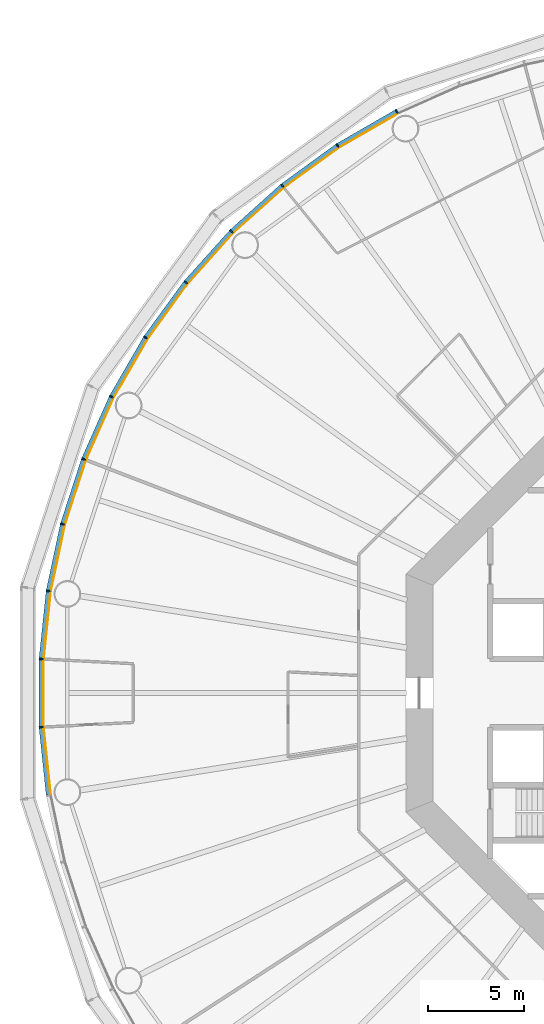
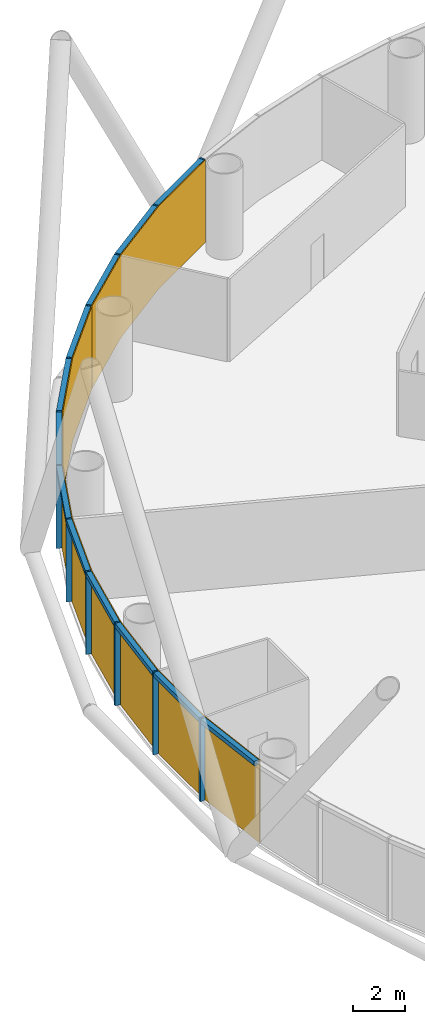
# One storey, part 9 of 13: 24 members, 4 curtain walls.
"""IFC4 building model written with IfcOpenShell, lengths in metres."""

import ifcopenshell
import ifcopenshell.guid

model = None  # the IFC model being written
_history = None  # IfcOwnerHistory: only IFC2X3 demands one
_inside = {}  # id of a spatial element -> (the spatial element, [elements in it])
_under = {}  # id of a project, library or spatial element -> (it, [spatial elements below it])
_declared = {}  # id of a project -> (the project, [libraries it declares])
_typed = {}  # id of a type object -> (the type object, [elements of that type])
_made_of = {}  # id of a material, layer set ... -> (it, [elements and type objects made of it])


def new_model(schema):
    """Start an empty IFC model of exactly this schema.

    Asked for "IFC4X3", IfcOpenShell would pick the latest addendum, in which some entities
    have other attributes; the version numbers below select the first issue.
    IFC2X3 requires an IfcOwnerHistory on every rooted entity: one is made here for all.
    """
    global model, _history
    if schema == "IFC4X3":
        model = ifcopenshell.file(schema_version=(4, 3, 0, 0))
    else:
        model = ifcopenshell.file(schema=schema)
    _inside.clear()
    _under.clear()
    _declared.clear()
    _typed.clear()
    _made_of.clear()
    _history = None
    if model.schema == "IFC2X3":
        org = make("IfcOrganization", Name="unknown")
        user = make(
            "IfcPersonAndOrganization",
            ThePerson=make("IfcPerson", FamilyName="unknown"),
            TheOrganization=org,
        )
        app = make(
            "IfcApplication",
            ApplicationDeveloper=org,
            Version="unknown",
            ApplicationFullName="unknown",
            ApplicationIdentifier="unknown",
        )
        _history = make(
            "IfcOwnerHistory",
            OwningUser=user,
            OwningApplication=app,
            ChangeAction="ADDED",
            CreationDate=0,
        )
    return model


def make(cls, **values):
    """One entity of the class cls with the attributes given. An attribute that is None is left unset."""
    return model.create_entity(
        cls, **{name: value for name, value in values.items() if value is not None}
    )


def rooted(cls, **values):
    """An entity with a GlobalId (a new one), such as an element, a storey or a relation."""
    return make(cls, GlobalId=ifcopenshell.guid.new(), OwnerHistory=_history, **values)


def si_unit(unit_type, name, prefix=None):
    """IfcSIUnit, for example si_unit("LENGTHUNIT", "METRE", prefix="MILLI")."""
    return make("IfcSIUnit", UnitType=unit_type, Prefix=prefix, Name=name)


def assignment(units):
    """IfcUnitAssignment: the units of a project."""
    return None if units is None else make("IfcUnitAssignment", Units=units)


def point(xyz):
    """IfcCartesianPoint."""
    return None if xyz is None else make("IfcCartesianPoint", Coordinates=xyz)


def direction(xyz):
    """IfcDirection."""
    return None if xyz is None else make("IfcDirection", DirectionRatios=xyz)


def frame(location, z_axis=None, x_axis=None):
    """IfcAxis2Placement3D, a coordinate frame: its origin and axes. An axis left out is left unset."""
    return make(
        "IfcAxis2Placement3D",
        Location=point(location),
        Axis=direction(z_axis),
        RefDirection=direction(x_axis),
    )


def frame_2d(location, x_axis=None):
    """IfcAxis2Placement2D, a coordinate frame in the plane: its origin and x axis."""
    return make(
        "IfcAxis2Placement2D", Location=point(location), RefDirection=direction(x_axis)
    )


def origin():
    """The frame at (0, 0, 0) with its axes left unset."""
    return frame((0.0, 0.0, 0.0))


def origin_2d():
    """The frame at (0, 0) in the plane with its x axis left unset."""
    return frame_2d((0.0, 0.0))


def place(relative_to, where):
    """IfcLocalPlacement: puts the frame where relative to a parent placement (None: the world)."""
    return make(
        "IfcLocalPlacement", PlacementRelTo=relative_to, RelativePlacement=where
    )


def context(
    kind, dimensions, precision=None, world=None, true_north=None, identifier=None
):
    """IfcGeometricRepresentationContext, for example the 3D "Model" context."""
    return make(
        "IfcGeometricRepresentationContext",
        ContextIdentifier=identifier,
        ContextType=kind,
        CoordinateSpaceDimension=dimensions,
        Precision=precision,
        WorldCoordinateSystem=world,
        TrueNorth=true_north,
    )


def subcontext(parent, identifier, kind, view, scale=None):
    """IfcGeometricRepresentationSubContext, for example "Body" below "Model"."""
    return make(
        "IfcGeometricRepresentationSubContext",
        ContextIdentifier=identifier,
        ContextType=kind,
        ParentContext=parent,
        TargetScale=scale,
        TargetView=view,
    )


def project(units=None, contexts=None):
    """IfcProject with its units and contexts."""
    return rooted(
        "IfcProject",
        Name="project",
        RepresentationContexts=contexts,
        UnitsInContext=assignment(units),
    )


def spatial(cls, under=None, at=None, **own):
    """A site, building, storey or space (cls), placed at a placement, below another one or the project."""
    s = rooted(cls, ObjectPlacement=at, **own)
    if under is not None:
        _under.setdefault(under.id(), (under, []))[1].append(s)
    return s


def polyline(points):
    """IfcPolyline through the points."""
    return make("IfcPolyline", Points=[point(p) for p in points])


def profile(cls, at=None, kind="AREA", **sizes):
    """A parametric profile (cls). Its sizes go by their IFC names, for example OverallWidth=200.0."""
    return make(cls, ProfileType=kind, Position=at, **sizes)


def rectangle(**sizes):
    """IfcRectangleProfileDef."""
    return profile("IfcRectangleProfileDef", **sizes)


def outline(outer, holes=None, kind="AREA"):
    """IfcArbitraryClosedProfileDef: a profile drawn as a closed curve; with holes, ...WithVoids."""
    if holes is None:
        return make("IfcArbitraryClosedProfileDef", ProfileType=kind, OuterCurve=outer)
    return make(
        "IfcArbitraryProfileDefWithVoids",
        ProfileType=kind,
        OuterCurve=outer,
        InnerCurves=holes,
    )


def extrude(swept, where, along, depth):
    """IfcExtrudedAreaSolid: the profile swept, set in the frame where, extruded along a direction by depth."""
    return make(
        "IfcExtrudedAreaSolid",
        SweptArea=swept,
        Position=where,
        ExtrudedDirection=direction(along),
        Depth=depth,
    )


def shape(context_of_items, identifier, shape_type, items):
    """IfcShapeRepresentation: the items that make up one representation, for example the "Body"."""
    return make(
        "IfcShapeRepresentation",
        ContextOfItems=context_of_items,
        RepresentationIdentifier=identifier,
        RepresentationType=shape_type,
        Items=items,
    )


def material(Name=None, Category=None):
    """IfcMaterial."""
    return make("IfcMaterial", Name=Name, Category=Category)


def layer(
    of_material, thickness, ventilated=None, Name=None, Category=None, Priority=None
):
    """IfcMaterialLayer: one layer of a wall or slab, of a material (None: an air gap)."""
    return make(
        "IfcMaterialLayer",
        Material=of_material,
        LayerThickness=thickness,
        IsVentilated=ventilated,
        Name=Name,
        Category=Category,
        Priority=Priority,
    )


def layer_set(layers, Name=None):
    """IfcMaterialLayerSet."""
    return make("IfcMaterialLayerSet", MaterialLayers=layers, LayerSetName=Name)


def material_profile(
    of_material, cross_section, Name=None, Category=None, Priority=None
):
    """IfcMaterialProfile: a cross section and its material."""
    return make(
        "IfcMaterialProfile",
        Name=Name,
        Material=of_material,
        Profile=cross_section,
        Priority=Priority,
        Category=Category,
    )


def profile_set(profiles, Name=None, composite=None):
    """IfcMaterialProfileSet."""
    return make(
        "IfcMaterialProfileSet",
        Name=Name,
        MaterialProfiles=profiles,
        CompositeProfile=composite,
    )


def made_of(thing, what):
    """Note that an element or type object is made of a material, layer set ...; save() writes the relation."""
    if what is not None:
        _made_of.setdefault(what.id(), (what, []))[1].append(thing)
    return thing


def type_object(cls, material=None, **own):
    """A type object (cls), such as IfcWallType, which elements share."""
    return made_of(rooted(cls, **own), material)


def element(
    cls,
    number,
    at=None,
    inside=None,
    cuts=None,
    type_object=None,
    material=None,
    context=None,
    identifier="Body",
    shape_type=None,
    held_by="IfcProductDefinitionShape",
    body=None,
    shapes=None,
    **own,
):
    """One element of the class cls, such as IfcWall. Its Tag is "e" and its number.

    at: its placement. inside: the storey or other place that contains it. cuts: it is an
    opening in that element (IfcRelVoidsElement). A single representation is given by context,
    identifier, shape_type and body (its items); several are given by shapes. held_by: the class
    of the entity that holds the representations. save() writes the other relations.
    """
    e = rooted(cls, Tag="e%d" % number, ObjectPlacement=at, **own)
    if body is not None:
        shapes = [shape(context, identifier, shape_type, body)]
    if shapes is not None:
        e.Representation = make(held_by, Representations=shapes)
    if inside is not None:
        _inside.setdefault(inside.id(), (inside, []))[1].append(e)
    if cuts is not None:
        rooted(
            "IfcRelVoidsElement", RelatingBuildingElement=cuts, RelatedOpeningElement=e
        )
    if type_object is not None:
        _typed.setdefault(type_object.id(), (type_object, []))[1].append(e)
    return made_of(e, material)


def aggregate(whole, parts):
    """IfcRelAggregates: a whole, such as a stair, and the parts it consists of."""
    return rooted("IfcRelAggregates", RelatingObject=whole, RelatedObjects=parts)


def save(model, path):
    """Write the relations noted so far, then the file.

    IfcRelAggregates (storeys below a building ...), IfcRelContainedInSpatialStructure (elements
    in a storey), IfcRelDefinesByType, IfcRelAssociatesMaterial and IfcRelDeclares: one each for
    every whole, place, type object, material and project.
    """
    for whole, parts in _under.values():
        aggregate(whole, parts)
    for where, things in _inside.values():
        rooted(
            "IfcRelContainedInSpatialStructure",
            RelatedElements=things,
            RelatingStructure=where,
        )
    for kind, things in _typed.values():
        rooted("IfcRelDefinesByType", RelatedObjects=things, RelatingType=kind)
    for what, things in _made_of.values():
        rooted("IfcRelAssociatesMaterial", RelatedObjects=things, RelatingMaterial=what)
    for by, libraries in _declared.values():
        rooted("IfcRelDeclares", RelatingContext=by, RelatedDefinitions=libraries)
    model.write(path)


model = new_model("IFC4")

# Units and contexts
model_context = context("Model", 3, precision=1e-05, world=origin(), true_north=direction((0.0, 1.0)))
body_context = subcontext(model_context, "Body", "Model", "MODEL_VIEW")
ifc_project = project(units=[si_unit("LENGTHUNIT", "METRE"), si_unit("AREAUNIT", "SQUARE_METRE"), si_unit("VOLUMEUNIT", "CUBIC_METRE"), si_unit("PLANEANGLEUNIT", "RADIAN"), si_unit("MASSUNIT", "GRAM", prefix="KILO")], contexts=[model_context])

# Member
ifc_material_1 = material(Name="Anodised aluminium", Category="aluminium")
ifc_material_profile_1 = material_profile(ifc_material_1, rectangle(XDim=0.074951171875, YDim=0.219970703125, at=origin_2d()), Name="Mullion 75 x 220 mm anodised aluminium")
ifc_profile_set_1 = profile_set([ifc_material_profile_1], Name="Anodised aluminium")
member_type_1 = type_object("IfcMemberType", Name="Mullion 75 x 220 mm anodised aluminium", PredefinedType="MULLION", material=ifc_profile_set_1)
site_placement = place(None, origin())
building_placement = place(site_placement, origin())
storey_placement = place(building_placement, frame((0.0, 0.0, 38.0)))
member_1_placement = place(storey_placement, frame((74.514404296875, 110.392333984375, 0.0), z_axis=(0.0, 0.0, 1.0), x_axis=(-0.891006524188, -0.45399049974, 0.0)))
member_1 = element("IfcMember", 1, at=member_1_placement, type_object=member_type_1, Name="MULLION L07-18", PredefinedType="MULLION", context=body_context, shape_type="SweptSolid", body=[
    extrude(rectangle(XDim=0.074951171875, YDim=0.219970703125, at=origin_2d()), origin(), (0.0, 0.0, 1.0), 3.85009765625),
])

member_2_placement = place(storey_placement, frame((71.42236328125, 108.60693359375, 0.0), z_axis=(0.0, 0.0, 1.0), x_axis=(-0.838670567945, -0.544639035015, 0.0)))
member_2 = element("IfcMember", 2, at=member_2_placement, type_object=member_type_1, Name="MULLION L07-19", PredefinedType="MULLION", context=body_context, shape_type="SweptSolid", body=[
    extrude(rectangle(XDim=0.074951171875, YDim=0.219970703125, at=origin_2d()), origin(), (0.0, 0.0, 1.0), 3.85009765625),
])

member_3_placement = place(storey_placement, frame((68.533935546875, 106.508544921875, 0.0), z_axis=(0.0, 0.0, 1.0), x_axis=(-0.777145961457, -0.62932039105, 0.0)))
member_3 = element("IfcMember", 3, at=member_3_placement, type_object=member_type_1, Name="MULLION L07-20", PredefinedType="MULLION", context=body_context, shape_type="SweptSolid", body=[
    extrude(rectangle(XDim=0.074951171875, YDim=0.219970703125, at=origin_2d()), origin(), (0.0, 0.0, 1.0), 3.85009765625),
])

member_4_placement = place(storey_placement, frame((65.880615234375, 104.119384765625, 0.0), z_axis=(0.0, 0.0, 1.0), x_axis=(-0.707106781187, -0.707106781187, 0.0)))
member_4 = element("IfcMember", 4, at=member_4_placement, type_object=member_type_1, Name="MULLION L07-21", PredefinedType="MULLION", context=body_context, shape_type="SweptSolid", body=[
    extrude(rectangle(XDim=0.074951171875, YDim=0.219970703125, at=origin_2d()), origin(), (0.0, 0.0, 1.0), 3.85009765625),
])

member_5_placement = place(storey_placement, frame((63.491455078125, 101.466064453125, 0.0), z_axis=(0.0, 0.0, 1.0), x_axis=(-0.62932039105, -0.777145961457, 0.0)))
member_5 = element("IfcMember", 5, at=member_5_placement, type_object=member_type_1, Name="MULLION L07-22", PredefinedType="MULLION", context=body_context, shape_type="SweptSolid", body=[
    extrude(rectangle(XDim=0.074951171875, YDim=0.219970703125, at=origin_2d()), origin(), (0.0, 0.0, 1.0), 3.85009765625),
])

member_6_placement = place(storey_placement, frame((61.39306640625, 98.57763671875, 0.0), z_axis=(0.0, 0.0, 1.0), x_axis=(-0.544639035015, -0.838670567945, 0.0)))
member_6 = element("IfcMember", 6, at=member_6_placement, type_object=member_type_1, Name="MULLION L07-23", PredefinedType="MULLION", context=body_context, shape_type="SweptSolid", body=[
    extrude(rectangle(XDim=0.074951171875, YDim=0.219970703125, at=origin_2d()), origin(), (0.0, 0.0, 1.0), 3.85009765625),
])

member_7_placement = place(storey_placement, frame((59.607666015625, 95.485595703125, 0.0), z_axis=(0.0, 0.0, 1.0), x_axis=(-0.45399049974, -0.891006524188, 0.0)))
member_7 = element("IfcMember", 7, at=member_7_placement, type_object=member_type_1, Name="MULLION L07-24", PredefinedType="MULLION", context=body_context, shape_type="SweptSolid", body=[
    extrude(rectangle(XDim=0.074951171875, YDim=0.219970703125, at=origin_2d()), origin(), (0.0, 0.0, 1.0), 3.85009765625),
])

member_8_placement = place(storey_placement, frame((58.155517578125, 92.223876953125, 0.0), z_axis=(0.0, 0.0, 1.0), x_axis=(-0.358367949545, -0.933580426497, 0.0)))
member_8 = element("IfcMember", 8, at=member_8_placement, type_object=member_type_1, Name="MULLION L07-25", PredefinedType="MULLION", context=body_context, shape_type="SweptSolid", body=[
    extrude(rectangle(XDim=0.074951171875, YDim=0.219970703125, at=origin_2d()), origin(), (0.0, 0.0, 1.0), 3.85009765625),
])

member_9_placement = place(storey_placement, frame((57.05224609375, 88.828369140625, 0.0), z_axis=(0.0, 0.0, 1.0), x_axis=(-0.258819045103, -0.965925826289, 0.0)))
member_9 = element("IfcMember", 9, at=member_9_placement, type_object=member_type_1, Name="MULLION L07-26", PredefinedType="MULLION", context=body_context, shape_type="SweptSolid", body=[
    extrude(rectangle(XDim=0.074951171875, YDim=0.219970703125, at=origin_2d()), origin(), (0.0, 0.0, 1.0), 3.85009765625),
])

member_10_placement = place(storey_placement, frame((56.31005859375, 85.3359375, 0.0), z_axis=(0.0, 0.0, 1.0), x_axis=(-0.15643446504, -0.987688340595, 0.0)))
member_10 = element("IfcMember", 10, at=member_10_placement, type_object=member_type_1, Name="MULLION L07-27", PredefinedType="MULLION", context=body_context, shape_type="SweptSolid", body=[
    extrude(rectangle(XDim=0.074951171875, YDim=0.219970703125, at=origin_2d()), origin(), (0.0, 0.0, 1.0), 3.85009765625),
])

member_11_placement = place(storey_placement, frame((55.936767578125, 81.78515625, 0.0), z_axis=(0.0, 0.0, 1.0), x_axis=(-0.052335956243, -0.998629534755, 0.0)))
member_11 = element("IfcMember", 11, at=member_11_placement, type_object=member_type_1, Name="MULLION L07-28", PredefinedType="MULLION", context=body_context, shape_type="SweptSolid", body=[
    extrude(rectangle(XDim=0.074951171875, YDim=0.219970703125, at=origin_2d()), origin(), (0.0, 0.0, 1.0), 3.85009765625),
])

member_12_placement = place(storey_placement, frame((55.936767578125, 78.21484375, 0.0), z_axis=(0.0, 0.0, 1.0), x_axis=(0.052335956243, -0.998629534755, 0.0)))
member_12 = element("IfcMember", 12, at=member_12_placement, type_object=member_type_1, Name="MULLION L07-29", PredefinedType="MULLION", context=body_context, shape_type="SweptSolid", body=[
    extrude(rectangle(XDim=0.074951171875, YDim=0.219970703125, at=origin_2d()), origin(), (0.0, 0.0, 1.0), 3.85009765625),
])

ifc_material_2 = material(Name="Anodised aluminium", Category="aluminium")
ifc_material_profile_2 = material_profile(ifc_material_2, rectangle(XDim=0.219970703125, YDim=0.199951171875, at=origin_2d()), Name="Transom 200 x 220 mm anodised aluminium")
ifc_profile_set_2 = profile_set([ifc_material_profile_2], Name="Anodised aluminium")
member_type_2 = type_object("IfcMemberType", Name="Transom 200 x 220 mm anodised aluminium", PredefinedType="USERDEFINED", material=ifc_profile_set_2)
member_13_placement = place(storey_placement, frame((74.476806640625, 110.370849609375, 3.75), z_axis=(-0.866022206254, -0.500005538244, 0.0), x_axis=(0.500005538244, -0.866022206254, 0.0)))
member_13 = element("IfcMember", 13, at=member_13_placement, type_object=member_type_2, Name="TRANSOM L07-18", ObjectType="TRANSOM", PredefinedType="USERDEFINED", context=body_context, shape_type="SweptSolid", body=[
    extrude(rectangle(XDim=0.219970703125, YDim=0.199951171875, at=origin_2d()), origin(), (0.0, 0.0, 1.0), 3.48388671875),
])

member_14_placement = place(storey_placement, frame((71.38720703125, 108.581787109375, 3.75), z_axis=(-0.80899056535, -0.587821627006, 0.0), x_axis=(0.587821627006, -0.80899056535, 0.0)))
member_14 = element("IfcMember", 14, at=member_14_placement, type_object=member_type_2, Name="TRANSOM L07-19", ObjectType="TRANSOM", PredefinedType="USERDEFINED", context=body_context, shape_type="SweptSolid", body=[
    extrude(rectangle(XDim=0.219970703125, YDim=0.199951171875, at=origin_2d()), origin(), (0.0, 0.0, 1.0), 3.48388671875),
])

member_15_placement = place(storey_placement, frame((68.501708984375, 106.479736328125, 3.75), z_axis=(-0.743137329876, -0.669138930974, 0.0), x_axis=(0.669138930974, -0.743137329876, 0.0)))
member_15 = element("IfcMember", 15, at=member_15_placement, type_object=member_type_2, Name="TRANSOM L07-20", ObjectType="TRANSOM", PredefinedType="USERDEFINED", context=body_context, shape_type="SweptSolid", body=[
    extrude(rectangle(XDim=0.219970703125, YDim=0.199951171875, at=origin_2d()), origin(), (0.0, 0.0, 1.0), 3.484130859375),
])

member_16_placement = place(storey_placement, frame((65.8515625, 104.08740234375, 3.75), z_axis=(-0.669138930974, -0.743137329876, 0.0), x_axis=(0.743137329876, -0.669138930974, 0.0)))
member_16 = element("IfcMember", 16, at=member_16_placement, type_object=member_type_2, Name="TRANSOM L07-21", ObjectType="TRANSOM", PredefinedType="USERDEFINED", context=body_context, shape_type="SweptSolid", body=[
    extrude(rectangle(XDim=0.219970703125, YDim=0.199951171875, at=origin_2d()), origin(), (0.0, 0.0, 1.0), 3.484130859375),
])

member_17_placement = place(storey_placement, frame((63.466064453125, 101.43115234375, 3.75), z_axis=(-0.587821627006, -0.80899056535, 0.0), x_axis=(0.80899056535, -0.587821627006, 0.0)))
member_17 = element("IfcMember", 17, at=member_17_placement, type_object=member_type_2, Name="TRANSOM L07-22", ObjectType="TRANSOM", PredefinedType="USERDEFINED", context=body_context, shape_type="SweptSolid", body=[
    extrude(rectangle(XDim=0.219970703125, YDim=0.199951171875, at=origin_2d()), origin(), (0.0, 0.0, 1.0), 3.48388671875),
])

member_18_placement = place(storey_placement, frame((61.37109375, 98.540283203125, 3.75), z_axis=(-0.500005538244, -0.866022206254, 0.0), x_axis=(0.866022206254, -0.500005538244, 0.0)))
member_18 = element("IfcMember", 18, at=member_18_placement, type_object=member_type_2, Name="TRANSOM L07-23", ObjectType="TRANSOM", PredefinedType="USERDEFINED", context=body_context, shape_type="SweptSolid", body=[
    extrude(rectangle(XDim=0.219970703125, YDim=0.199951171875, at=origin_2d()), origin(), (0.0, 0.0, 1.0), 3.48388671875),
])

member_19_placement = place(storey_placement, frame((59.590087890625, 95.446044921875, 3.75), z_axis=(-0.406736576304, -0.913545487371, 0.0), x_axis=(0.913545487371, -0.406736576304, 0.0)))
member_19 = element("IfcMember", 19, at=member_19_placement, type_object=member_type_2, Name="TRANSOM L07-24", ObjectType="TRANSOM", PredefinedType="USERDEFINED", context=body_context, shape_type="SweptSolid", body=[
    extrude(rectangle(XDim=0.219970703125, YDim=0.199951171875, at=origin_2d()), origin(), (0.0, 0.0, 1.0), 3.48388671875),
])

member_20_placement = place(storey_placement, frame((58.14208984375, 92.182861328125, 3.75), z_axis=(-0.309029029702, -0.951052605696, 0.0), x_axis=(0.951052605696, -0.309029029702, 0.0)))
member_20 = element("IfcMember", 20, at=member_20_placement, type_object=member_type_2, Name="TRANSOM L07-25", ObjectType="TRANSOM", PredefinedType="USERDEFINED", context=body_context, shape_type="SweptSolid", body=[
    extrude(rectangle(XDim=0.219970703125, YDim=0.199951171875, at=origin_2d()), origin(), (0.0, 0.0, 1.0), 3.484130859375),
])

member_21_placement = place(storey_placement, frame((57.043212890625, 88.7861328125, 3.75), z_axis=(-0.207920776701, -0.978145669426, 0.0), x_axis=(0.978145669426, -0.207920776701, 0.0)))
member_21 = element("IfcMember", 21, at=member_21_placement, type_object=member_type_2, Name="TRANSOM L07-26", ObjectType="TRANSOM", PredefinedType="USERDEFINED", context=body_context, shape_type="SweptSolid", body=[
    extrude(rectangle(XDim=0.219970703125, YDim=0.199951171875, at=origin_2d()), origin(), (0.0, 0.0, 1.0), 3.48388671875),
])

member_22_placement = place(storey_placement, frame((56.30517578125, 85.29296875, 3.75), z_axis=(-0.104484152234, -0.994526551648, 0.0), x_axis=(0.994526551648, -0.104484152234, 0.0)))
member_22 = element("IfcMember", 22, at=member_22_placement, type_object=member_type_2, Name="TRANSOM L07-27", ObjectType="TRANSOM", PredefinedType="USERDEFINED", context=body_context, shape_type="SweptSolid", body=[
    extrude(rectangle(XDim=0.219970703125, YDim=0.199951171875, at=origin_2d()), origin(), (0.0, 0.0, 1.0), 3.48388671875),
])

member_23_placement = place(storey_placement, frame((55.9365234375, 81.741943359375, 3.75), z_axis=(0.0, -1.0, 0.0), x_axis=(1.0, 0.0, 0.0)))
member_23 = element("IfcMember", 23, at=member_23_placement, type_object=member_type_2, Name="TRANSOM L07-28", ObjectType="TRANSOM", PredefinedType="USERDEFINED", context=body_context, shape_type="SweptSolid", body=[
    extrude(rectangle(XDim=0.219970703125, YDim=0.199951171875, at=origin_2d()), origin(), (0.0, 0.0, 1.0), 3.48388671875),
])

member_24_placement = place(storey_placement, frame((55.941162109375, 78.171875, 3.75), z_axis=(0.104484152234, -0.994526551648, 0.0), x_axis=(0.994526551648, 0.104484152234, 0.0)))
member_24 = element("IfcMember", 24, at=member_24_placement, type_object=member_type_2, Name="TRANSOM L07-29", ObjectType="TRANSOM", PredefinedType="USERDEFINED", context=body_context, shape_type="SweptSolid", body=[
    extrude(rectangle(XDim=0.219970703125, YDim=0.199951171875, at=origin_2d()), origin(), (0.0, 0.0, 1.0), 3.48388671875),
])

# Site, building, storey
site = spatial("IfcSite", under=ifc_project, at=site_placement, CompositionType="ELEMENT")
building = spatial("IfcBuilding", under=site, at=building_placement, Name="Entoto Ring Tower", CompositionType="ELEMENT")
storey = spatial("IfcBuildingStorey", under=building, at=storey_placement, Name="L07", CompositionType="ELEMENT", Elevation=38.0)

# Curtain wall
ifc_material_3 = material(Name="Clear low-iron glass", Category="glass")
ifc_layer = layer(ifc_material_3, 0.0400390625)
ifc_layer_set = layer_set([ifc_layer], Name="Clear low-iron glass")
curtain_wall_type = type_object("IfcCurtainWallType", Name="Curtain wall system CW1 glazing 40 mm", PredefinedType="NOTDEFINED", material=ifc_layer_set)
curtain_wall_1_placement = place(storey_placement, origin())
curtain_wall_1 = element("IfcCurtainWall", 25, at=curtain_wall_1_placement, inside=storey, type_object=curtain_wall_type, Name="CW1 L07-07", PredefinedType="NOTDEFINED", context=body_context, shape_type="SweptSolid", body=[
    extrude(outline(polyline([(74.564208984375, 110.294189453125), (71.482177734375, 108.514892578125), (68.60302734375, 106.4228515625), (65.958251953125, 104.041748046875), (65.986572265625, 104.013427734375), (68.62841796875, 106.391845703125), (71.504150390625, 108.481201171875), (74.58251953125, 110.258544921875), (74.564208984375, 110.294189453125)])), origin(), (0.0, 0.0, 1.0), 3.85009765625),
])

aggregate(curtain_wall_1, [member_1, member_2, member_3, member_13, member_14, member_15])

curtain_wall_2_placement = place(storey_placement, origin())
curtain_wall_2 = element("IfcCurtainWall", 26, at=curtain_wall_2_placement, inside=storey, type_object=curtain_wall_type, Name="CW1 L07-08", PredefinedType="NOTDEFINED", context=body_context, shape_type="SweptSolid", body=[
    extrude(outline(polyline([(65.958251953125, 104.041748046875), (63.5771484375, 101.39697265625), (61.485107421875, 98.517822265625), (59.705810546875, 95.435791015625), (59.741455078125, 95.41748046875), (61.518798828125, 98.495849609375), (63.608154296875, 101.37158203125), (65.986572265625, 104.013427734375), (65.958251953125, 104.041748046875)])), origin(), (0.0, 0.0, 1.0), 3.85009765625),
])

aggregate(curtain_wall_2, [member_4, member_5, member_6, member_16, member_17, member_18])

curtain_wall_3_placement = place(storey_placement, origin())
curtain_wall_3 = element("IfcCurtainWall", 27, at=curtain_wall_3_placement, inside=storey, type_object=curtain_wall_type, Name="CW1 L07-09", PredefinedType="NOTDEFINED", context=body_context, shape_type="SweptSolid", body=[
    extrude(outline(polyline([(59.705810546875, 95.435791015625), (58.25830078125, 92.1845703125), (57.158447265625, 88.7998046875), (56.418701171875, 85.31884765625), (56.458251953125, 85.3125), (57.197265625, 88.78955078125), (58.295654296875, 92.170166015625), (59.741455078125, 95.41748046875), (59.705810546875, 95.435791015625)])), origin(), (0.0, 0.0, 1.0), 3.85009765625),
])

aggregate(curtain_wall_3, [member_7, member_8, member_9, member_19, member_20, member_21])

curtain_wall_4_placement = place(storey_placement, origin())
curtain_wall_4 = element("IfcCurtainWall", 28, at=curtain_wall_4_placement, inside=storey, type_object=curtain_wall_type, Name="CW1 L07-10", PredefinedType="NOTDEFINED", context=body_context, shape_type="SweptSolid", body=[
    extrude(outline(polyline([(56.418701171875, 85.31884765625), (56.046630859375, 81.779541015625), (56.046630859375, 78.220458984375), (56.418701171875, 74.68115234375), (56.458251953125, 74.6875), (56.086669921875, 78.22265625), (56.086669921875, 81.77734375), (56.458251953125, 85.3125), (56.418701171875, 85.31884765625)])), origin(), (0.0, 0.0, 1.0), 3.85009765625),
])

aggregate(curtain_wall_4, [member_10, member_11, member_12, member_22, member_23, member_24])

save(model, "model.ifc")
